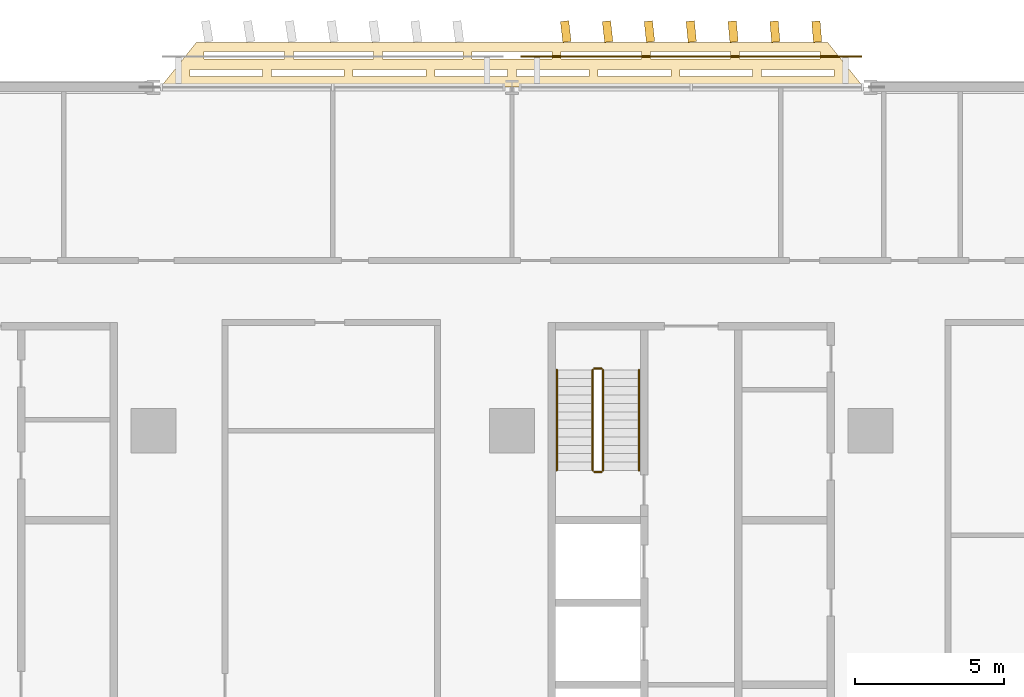
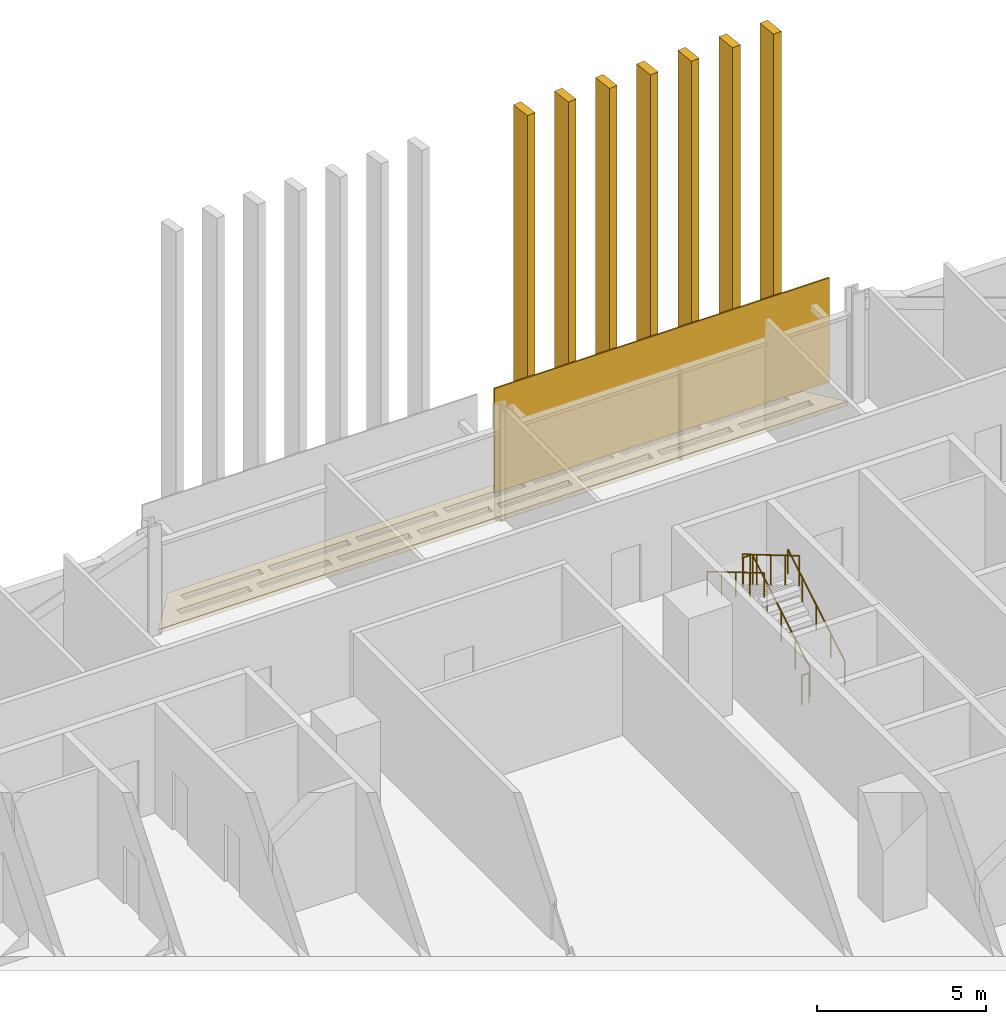
# One storey, part 28 of 29: 9 coverings, 6 railings.
"""IFC4 building model written with IfcOpenShell, lengths in metres."""

from ifc_helpers import new_model, si_unit, direction, frame, origin, origin_2d, place, context, subcontext, project, spatial, polyline, rectangle, circle, outline, extrude, material, layer, layer_set, type_object, element, save


model = new_model("IFC4")

# Units and contexts
model_context = context("Model", 3, precision=1e-05, world=origin(), true_north=direction((0.0, 1.0)))
body_context = subcontext(model_context, "Body", "Model", "MODEL_VIEW")
ifc_project = project(units=[si_unit("LENGTHUNIT", "METRE"), si_unit("AREAUNIT", "SQUARE_METRE"), si_unit("VOLUMEUNIT", "CUBIC_METRE"), si_unit("PLANEANGLEUNIT", "RADIAN"), si_unit("MASSUNIT", "GRAM", prefix="KILO")], contexts=[model_context])

# Site, building, storey
site_placement = place(None, origin())
site = spatial("IfcSite", under=ifc_project, at=site_placement, CompositionType="ELEMENT")
building_placement = place(site_placement, origin())
building = spatial("IfcBuilding", under=site, at=building_placement, Name="Mahtab Terrace Research Tower", CompositionType="ELEMENT")
storey_placement = place(building_placement, frame((0.0, 0.0, 46.0)))
storey = spatial("IfcBuildingStorey", under=building, at=storey_placement, Name="L10", CompositionType="ELEMENT", Elevation=46.0)

# Coverings
ifc_material_1 = material(Name="Black anodised aluminium", Category="aluminium")
ifc_layer_1 = layer(ifc_material_1, 0.14990234375)
ifc_layer_set_1 = layer_set([ifc_layer_1], Name="Horizontal sunshade band")
covering_type_1 = type_object("IfcCoveringType", Name="Horizontal sunshade band", PredefinedType="CLADDING", material=ifc_layer_set_1)
covering_1_placement = place(storey_placement, frame((0.0, 0.0, -0.14990234375)))
element("IfcCovering", 1, at=covering_1_placement, inside=storey, type_object=covering_type_1, Name="Sunshade band L10 5", PredefinedType="CLADDING", context=body_context, shape_type="SweptSolid", body=[
    extrude(outline(polyline([(29.761962890625, 23.0), (6.238037109375, 23.0), (7.43798828125, 24.5), (28.56201171875, 24.5), (29.761962890625, 23.0)]), holes=[polyline([(28.781982421875, 23.35009765625), (26.34912109375, 23.35009765625), (26.34912109375, 23.60009765625), (28.781982421875, 23.60009765625), (28.781982421875, 23.35009765625)]), polyline([(26.049072265625, 23.35009765625), (23.615966796875, 23.35009765625), (23.615966796875, 23.60009765625), (26.049072265625, 23.60009765625), (26.049072265625, 23.35009765625)]), polyline([(23.31591796875, 23.35009765625), (20.883056640625, 23.35009765625), (20.883056640625, 23.60009765625), (23.31591796875, 23.60009765625), (23.31591796875, 23.35009765625)]), polyline([(20.5830078125, 23.35009765625), (18.14990234375, 23.35009765625), (18.14990234375, 23.60009765625), (20.5830078125, 23.60009765625), (20.5830078125, 23.35009765625)]), polyline([(17.85009765625, 23.35009765625), (15.4169921875, 23.35009765625), (15.4169921875, 23.60009765625), (17.85009765625, 23.60009765625), (17.85009765625, 23.35009765625)]), polyline([(15.116943359375, 23.35009765625), (12.68408203125, 23.35009765625), (12.68408203125, 23.60009765625), (15.116943359375, 23.60009765625), (15.116943359375, 23.35009765625)]), polyline([(12.384033203125, 23.35009765625), (9.950927734375, 23.35009765625), (9.950927734375, 23.60009765625), (12.384033203125, 23.60009765625), (12.384033203125, 23.35009765625)]), polyline([(9.65087890625, 23.35009765625), (7.218017578125, 23.35009765625), (7.218017578125, 23.60009765625), (9.65087890625, 23.60009765625), (9.65087890625, 23.35009765625)]), polyline([(28.302001953125, 23.949951171875), (25.615966796875, 23.949951171875), (25.615966796875, 24.199951171875), (28.302001953125, 24.199951171875), (28.302001953125, 23.949951171875)]), polyline([(25.31591796875, 23.949951171875), (22.62890625, 23.949951171875), (22.62890625, 24.199951171875), (25.31591796875, 24.199951171875), (25.31591796875, 23.949951171875)]), polyline([(22.3291015625, 23.949951171875), (19.64306640625, 23.949951171875), (19.64306640625, 24.199951171875), (22.3291015625, 24.199951171875), (22.3291015625, 23.949951171875)]), polyline([(19.343017578125, 23.949951171875), (16.656982421875, 23.949951171875), (16.656982421875, 24.199951171875), (19.343017578125, 24.199951171875), (19.343017578125, 23.949951171875)]), polyline([(16.35693359375, 23.949951171875), (13.6708984375, 23.949951171875), (13.6708984375, 24.199951171875), (16.35693359375, 24.199951171875), (16.35693359375, 23.949951171875)]), polyline([(13.37109375, 23.949951171875), (10.68408203125, 23.949951171875), (10.68408203125, 24.199951171875), (13.37109375, 24.199951171875), (13.37109375, 23.949951171875)]), polyline([(10.384033203125, 23.949951171875), (7.697998046875, 23.949951171875), (7.697998046875, 24.199951171875), (10.384033203125, 24.199951171875), (10.384033203125, 23.949951171875)])]), origin(), (0.0, 0.0, 1.0), 0.14990234375),
])
ifc_material_2 = material(Name="Bronze anodised aluminium", Category="aluminium")
ifc_layer_2 = layer(ifc_material_2, 0.050048828125)
ifc_layer_set_2 = layer_set([ifc_layer_2], Name="Sky lounge girih screen panel")
covering_type_2 = type_object("IfcCoveringType", Name="Sky lounge girih screen panel", PredefinedType="CLADDING", material=ifc_layer_set_2)
covering_2_placement = place(storey_placement, frame((24.0, 24.02490234375, 0.10009765625), z_axis=(0.0, 0.0, 1.0), x_axis=(-1.0, 0.0, 0.0)))
element("IfcCovering", 2, at=covering_2_placement, inside=storey, type_object=covering_type_2, Name="Girih screen L10 N6", PredefinedType="CLADDING", context=body_context, shape_type="SweptSolid", body=[
    extrude(rectangle(XDim=11.424072265625, YDim=0.050048828125, at=origin_2d()), origin(), (0.0, 0.0, 1.0), 3.760009765625),
])

# Railings
ifc_material_3 = material(Name="Stainless steel AISI 304", Category="steel")
railing_type_1 = type_object("IfcRailingType", Name="Stair guard 1100", PredefinedType="GUARDRAIL", material=ifc_material_3)
railing_1_placement = place(storey_placement, frame((21.050048828125, 10.175048828125, 0.165283203125)))
element("IfcRailing", 3, at=railing_1_placement, inside=storey, type_object=railing_type_1, Name="L10 ST3 stair guard 1", PredefinedType="GUARDRAIL", context=body_context, shape_type="SweptSolid", body=[
    extrude(circle(Radius=0.02392578125, at=origin_2d()), frame((0.0, 0.0, 1.076171875), z_axis=(0.0, 0.861011212953, 0.508585972249), x_axis=(-1.0, 0.0, 0.0)), (0.0, 0.0, 1.0), 3.90234375),
    extrude(circle(Radius=0.02099609375, at=origin_2d()), origin(), (0.0, 0.0, 1.0), 1.052001953125),
    extrude(circle(Radius=0.02099609375, at=origin_2d()), frame((0.0, 0.83984375, 0.49609375)), (0.0, 0.0, 1.0), 1.052001953125),
    extrude(circle(Radius=0.02099609375, at=origin_2d()), frame((0.0, 1.679931640625, 0.9921875)), (0.0, 0.0, 1.0), 1.052001953125),
    extrude(circle(Radius=0.02099609375, at=origin_2d()), frame((0.0, 2.52001953125, 1.488525390625)), (0.0, 0.0, 1.0), 1.052001953125),
    extrude(circle(Radius=0.02099609375, at=origin_2d()), frame((0.0, 3.35986328125, 1.984619140625)), (0.0, 0.0, 1.0), 1.052001953125),
])
railing_2_placement = place(storey_placement, frame((21.0, 13.5849609375, 2.14990234375)))
element("IfcRailing", 4, at=railing_2_placement, inside=storey, type_object=railing_type_1, Name="L10 ST3 stair guard 2", PredefinedType="GUARDRAIL", context=body_context, shape_type="SweptSolid", body=[
    extrude(circle(Radius=0.02392578125, at=origin_2d()), frame((0.0, 0.0, 1.076171875), z_axis=(-1.0, 0.0, 0.0), x_axis=(0.0, -1.0, 0.0)), (0.0, 0.0, 1.0), 0.25),
    extrude(circle(Radius=0.02099609375, at=origin_2d()), origin(), (0.0, 0.0, 1.0), 1.052001953125),
    extrude(circle(Radius=0.02099609375, at=origin_2d()), frame((-0.25, 0.0, 0.0)), (0.0, 0.0, 1.0), 1.052001953125),
])
railing_3_placement = place(storey_placement, frame((20.699951171875, 13.534912109375, 2.3154296875)))
element("IfcRailing", 5, at=railing_3_placement, inside=storey, type_object=railing_type_1, Name="L10 ST3 stair guard 3", PredefinedType="GUARDRAIL", context=body_context, shape_type="SweptSolid", body=[
    extrude(circle(Radius=0.02392578125, at=origin_2d()), frame((0.0, 0.0, 1.076171875), z_axis=(0.0, -0.861011212953, 0.508585972249), x_axis=(1.0, 0.0, 0.0)), (0.0, 0.0, 1.0), 3.90234375),
    extrude(circle(Radius=0.02099609375, at=origin_2d()), origin(), (0.0, 0.0, 1.0), 1.052001953125),
    extrude(circle(Radius=0.02099609375, at=origin_2d()), frame((0.0, -0.83984375, 0.49609375)), (0.0, 0.0, 1.0), 1.052001953125),
    extrude(circle(Radius=0.02099609375, at=origin_2d()), frame((0.0, -1.679931640625, 0.9921875)), (0.0, 0.0, 1.0), 1.052001953125),
    extrude(circle(Radius=0.02099609375, at=origin_2d()), frame((0.0, -2.52001953125, 1.488525390625)), (0.0, 0.0, 1.0), 1.052001953125),
    extrude(circle(Radius=0.02099609375, at=origin_2d()), frame((0.0, -3.35986328125, 1.984619140625)), (0.0, 0.0, 1.0), 1.052001953125),
])
railing_4_placement = place(storey_placement, frame((21.0, 10.125, 0.0)))
element("IfcRailing", 6, at=railing_4_placement, inside=storey, type_object=railing_type_1, Name="L10 ST3 stair guard 4", PredefinedType="GUARDRAIL", context=body_context, shape_type="SweptSolid", body=[
    extrude(circle(Radius=0.02392578125, at=origin_2d()), frame((0.0, 0.0, 1.076171875), z_axis=(-1.0, 0.0, 0.0), x_axis=(0.0, -1.0, 0.0)), (0.0, 0.0, 1.0), 0.25),
    extrude(circle(Radius=0.02099609375, at=origin_2d()), origin(), (0.0, 0.0, 1.0), 1.052001953125),
    extrude(circle(Radius=0.02099609375, at=origin_2d()), frame((-0.25, 0.0, 0.0)), (0.0, 0.0, 1.0), 1.052001953125),
])
railing_type_2 = type_object("IfcRailingType", Name="Stair handrail 900", PredefinedType="HANDRAIL", material=ifc_material_3)
railing_5_placement = place(storey_placement, frame((22.25, 10.175048828125, 0.165283203125)))
element("IfcRailing", 7, at=railing_5_placement, inside=storey, type_object=railing_type_2, Name="L10 ST3 stair handrail 1", PredefinedType="HANDRAIL", context=body_context, shape_type="SweptSolid", body=[
    extrude(circle(Radius=0.02392578125, at=origin_2d()), frame((0.0, 0.0, 0.8759765625), z_axis=(0.0, 0.861011212953, 0.508585972249), x_axis=(-1.0, 0.0, 0.0)), (0.0, 0.0, 1.0), 3.90234375),
    extrude(circle(Radius=0.02099609375, at=origin_2d()), origin(), (0.0, 0.0, 1.0), 0.851806640625),
    extrude(circle(Radius=0.02099609375, at=origin_2d()), frame((0.0, 0.83984375, 0.49609375)), (0.0, 0.0, 1.0), 0.851806640625),
    extrude(circle(Radius=0.02099609375, at=origin_2d()), frame((0.0, 1.679931640625, 0.9921875)), (0.0, 0.0, 1.0), 0.851806640625),
    extrude(circle(Radius=0.02099609375, at=origin_2d()), frame((0.0, 2.52001953125, 1.488525390625)), (0.0, 0.0, 1.0), 0.851806640625),
    extrude(circle(Radius=0.02099609375, at=origin_2d()), frame((0.0, 3.35986328125, 1.984619140625)), (0.0, 0.0, 1.0), 0.851806640625),
])
railing_6_placement = place(storey_placement, frame((19.5, 13.534912109375, 2.3154296875)))
element("IfcRailing", 8, at=railing_6_placement, inside=storey, type_object=railing_type_2, Name="L10 ST3 stair handrail 2", PredefinedType="HANDRAIL", context=body_context, shape_type="SweptSolid", body=[
    extrude(circle(Radius=0.02392578125, at=origin_2d()), frame((0.0, 0.0, 0.8759765625), z_axis=(0.0, -0.861011212953, 0.508585972249), x_axis=(1.0, 0.0, 0.0)), (0.0, 0.0, 1.0), 3.90234375),
    extrude(circle(Radius=0.02099609375, at=origin_2d()), origin(), (0.0, 0.0, 1.0), 0.851806640625),
    extrude(circle(Radius=0.02099609375, at=origin_2d()), frame((0.0, -0.83984375, 0.49609375)), (0.0, 0.0, 1.0), 0.851806640625),
    extrude(circle(Radius=0.02099609375, at=origin_2d()), frame((0.0, -1.679931640625, 0.9921875)), (0.0, 0.0, 1.0), 0.851806640625),
    extrude(circle(Radius=0.02099609375, at=origin_2d()), frame((0.0, -2.52001953125, 1.488525390625)), (0.0, 0.0, 1.0), 0.851806640625),
    extrude(circle(Radius=0.02099609375, at=origin_2d()), frame((0.0, -3.35986328125, 1.984619140625)), (0.0, 0.0, 1.0), 0.851806640625),
])

# Coverings
ifc_layer_3 = layer(ifc_material_2, 0.1201171875)
ifc_layer_set_3 = layer_set([ifc_layer_3], Name="Vertical fin 700")
covering_type_3 = type_object("IfcCoveringType", Name="Vertical fin 700", PredefinedType="CLADDING", material=ifc_layer_set_3)
for number, where, z_axis, x_axis, name in (
    (9, (28.199951171875, 24.8603515625, -0.14990234375), (0.0, 0.0, 1.0), (-0.996616925886, -0.082187000416, 0.0), "Fin L10 N1"),
    (10, (26.800048828125, 24.86083984375, -0.14990234375), (0.0, 0.0, 1.0), (-0.996121918106, -0.087983659104, 0.0), "Fin L10 N2"),
    (11, (25.39990234375, 24.861572265625, -0.14990234375), (0.0, 0.0, 1.0), (-0.995593195301, -0.093777339855, 0.0), "Fin L10 N3"),
    (12, (24.0, 24.8623046875, -0.14990234375), (0.0, 0.0, 1.0), (-0.995030775366, -0.099567846591, 0.0), "Fin L10 N4"),
    (13, (22.60009765625, 24.86279296875, -0.14990234375), (0.0, 0.0, 1.0), (-0.994434677334, -0.105354983343, 0.0), "Fin L10 N5"),
    (14, (21.199951171875, 24.86328125, -0.14990234375), (0.0, 0.0, 1.0), (-0.993804921385, -0.111138554202, 0.0), "Fin L10 N6"),
    (15, (19.800048828125, 24.864013671875, -0.14990234375), (0.0, 0.0, 1.0), (-0.993141528832, -0.116918363435, 0.0), "Fin L10 N7"),
):
    element("IfcCovering", number, at=place(storey_placement, frame(where, z_axis=z_axis, x_axis=x_axis)), inside=storey, type_object=covering_type_3, Name=name, PredefinedType="CLADDING", context=body_context, shape_type="SweptSolid", body=[
        extrude(rectangle(XDim=0.280029296875, YDim=0.699951171875, at=origin_2d()), origin(), (0.0, 0.0, 1.0), 13.050048828125),
    ])

save(model, "model.ifc")
